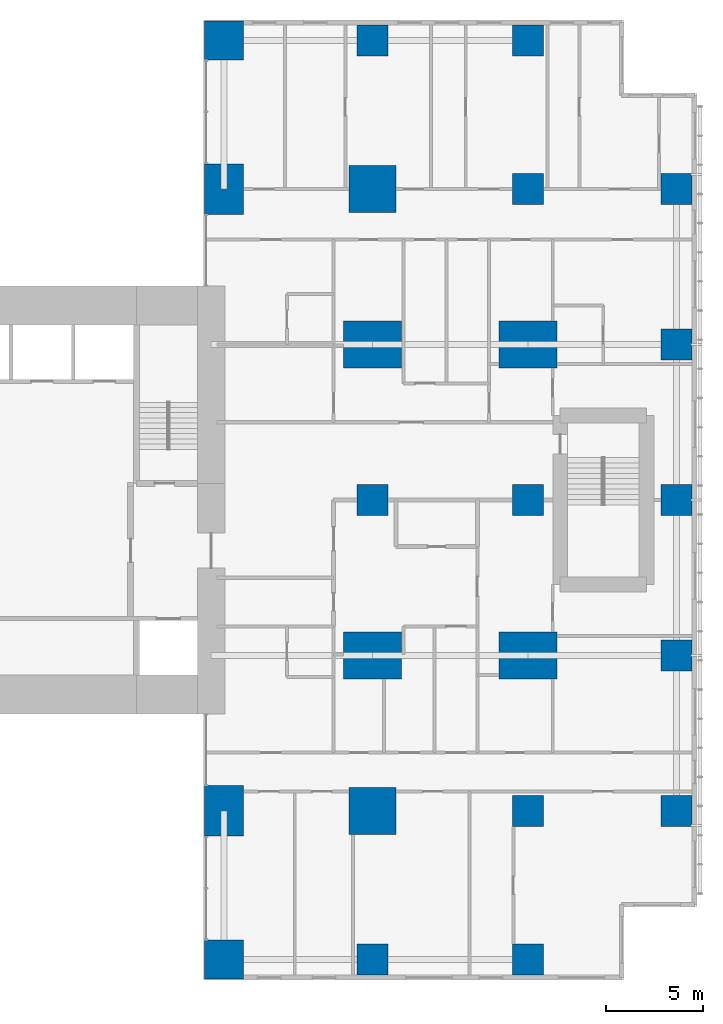
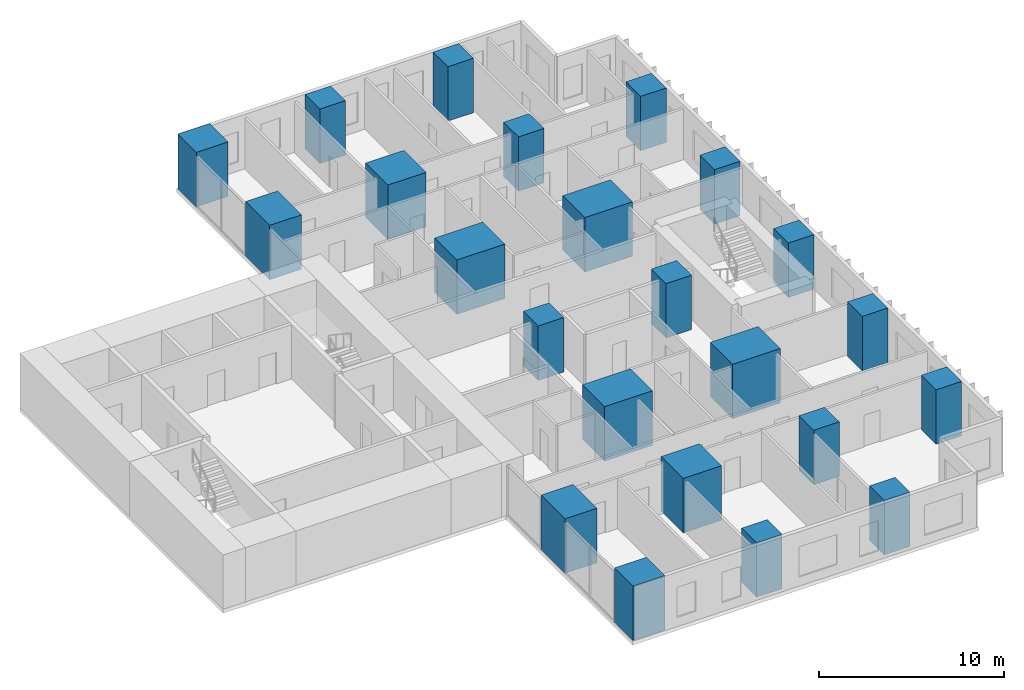
# One storey, part 1 of 12: 23 columns.
"""IFC4 building model written with IfcOpenShell, lengths in metres."""

from ifc_helpers import new_model, si_unit, direction, frame, origin, origin_2d, place, context, subcontext, project, spatial, rectangle, extrude, material, material_profile, profile_set, type_object, element, save


model = new_model("IFC4")

# Units and contexts
model_context = context("Model", 3, precision=1e-05, world=origin(), true_north=direction((0.0, 1.0)))
body_context = subcontext(model_context, "Body", "Model", "MODEL_VIEW")
ifc_project = project(units=[si_unit("LENGTHUNIT", "METRE"), si_unit("AREAUNIT", "SQUARE_METRE"), si_unit("VOLUMEUNIT", "CUBIC_METRE"), si_unit("PLANEANGLEUNIT", "RADIAN"), si_unit("MASSUNIT", "GRAM", prefix="KILO")], contexts=[model_context])

# Site, building, storey
site_placement = place(None, origin())
site = spatial("IfcSite", under=ifc_project, at=site_placement, CompositionType="ELEMENT")
building_placement = place(site_placement, origin())
building = spatial("IfcBuilding", under=site, at=building_placement, Name="Cleftline Residences", CompositionType="ELEMENT")
storey_placement = place(building_placement, frame((0.0, 0.0, 234.0)))
storey = spatial("IfcBuildingStorey", under=building, at=storey_placement, Name="L61", CompositionType="ELEMENT", Elevation=234.0)

# Columns
ifc_material_1 = material(Name="Concrete B70", Category="concrete")
ifc_material_profile_1 = material_profile(ifc_material_1, rectangle(XDim=1.60009765625, YDim=1.60009765625, at=origin_2d()))
ifc_profile_set_1 = profile_set([ifc_material_profile_1], Name="Concrete B70")
column_type_1 = type_object("IfcColumnType", Name="COLUMN RC1600X1600", PredefinedType="COLUMN", material=ifc_profile_set_1)
for number, where, z_axis, x_axis, name in (
    (1, (50.0, 0.35009765625, 0.0), (0.0, 0.0, 1.0), (1.0, 0.0, 0.0), "Column C/9"),
    (2, (50.0, 24.0, 0.0), (0.0, 0.0, 1.0), (1.0, 0.0, 0.0), "Column F/9"),
    (3, (50.0, 47.64990234375, 0.0), (0.0, 0.0, 1.0), (1.0, 0.0, 0.0), "Column J/9"),
    (4, (58.0, 0.35009765625, 0.0), (0.0, 0.0, 1.0), (1.0, 0.0, 0.0), "Column C/10"),
    (5, (58.0, 8.0, 0.0), (0.0, 0.0, 1.0), (1.0, 0.0, 0.0), "Column D/10"),
    (6, (58.0, 24.0, 0.0), (0.0, 0.0, 1.0), (1.0, 0.0, 0.0), "Column F/10"),
    (7, (58.0, 40.0, 0.0), (0.0, 0.0, 1.0), (1.0, 0.0, 0.0), "Column H/10"),
    (8, (58.0, 47.64990234375, 0.0), (0.0, 0.0, 1.0), (1.0, 0.0, 0.0), "Column J/10"),
    (9, (65.64990234375, 8.0, 0.0), (0.0, 0.0, 1.0), (1.0, 0.0, 0.0), "Column D/11"),
    (10, (65.64990234375, 16.0, 0.0), (0.0, 0.0, 1.0), (1.0, 0.0, 0.0), "Column E/11"),
    (11, (65.64990234375, 24.0, 0.0), (0.0, 0.0, 1.0), (1.0, 0.0, 0.0), "Column F/11"),
    (12, (65.64990234375, 32.0, 0.0), (0.0, 0.0, 1.0), (1.0, 0.0, 0.0), "Column G/11"),
    (13, (65.64990234375, 40.0, 0.0), (0.0, 0.0, 1.0), (1.0, 0.0, 0.0), "Column H/11"),
):
    element("IfcColumn", number, at=place(storey_placement, frame(where, z_axis=z_axis, x_axis=x_axis)), inside=storey, type_object=column_type_1, Name=name, PredefinedType="COLUMN", context=body_context, shape_type="SweptSolid", body=[
        extrude(rectangle(XDim=1.60009765625, YDim=1.60009765625, at=origin_2d()), origin(), (0.0, 0.0, 1.0), 3.60009765625),
    ])
ifc_material_2 = material(Name="Concrete B70", Category="concrete")
ifc_material_profile_2 = material_profile(ifc_material_2, rectangle(XDim=2.0, YDim=2.0, at=origin_2d()))
ifc_profile_set_2 = profile_set([ifc_material_profile_2], Name="Concrete B70")
column_type_2 = type_object("IfcColumnType", Name="COLUMN RC2000X2000", PredefinedType="COLUMN", material=ifc_profile_set_2)
for number, where, z_axis, x_axis, name in (
    (14, (42.35009765625, 0.35009765625, 0.0), (0.0, 0.0, 1.0), (1.0, 0.0, 0.0), "Column C/8"),
    (15, (42.35009765625, 47.64990234375, 0.0), (0.0, 0.0, 1.0), (1.0, 0.0, 0.0), "Column J/8"),
):
    element("IfcColumn", number, at=place(storey_placement, frame(where, z_axis=z_axis, x_axis=x_axis)), inside=storey, type_object=column_type_2, Name=name, PredefinedType="COLUMN", context=body_context, shape_type="SweptSolid", body=[
        extrude(rectangle(XDim=2.0, YDim=2.0, at=origin_2d()), origin(), (0.0, 0.0, 1.0), 3.60009765625),
    ])
ifc_material_3 = material(Name="Concrete B70", Category="concrete")
ifc_material_profile_3 = material_profile(ifc_material_3, rectangle(XDim=2.0, YDim=2.60009765625, at=origin_2d()))
ifc_profile_set_3 = profile_set([ifc_material_profile_3], Name="Concrete B70")
column_type_3 = type_object("IfcColumnType", Name="COLUMN RC2000X2600", PredefinedType="COLUMN", material=ifc_profile_set_3)
for number, where, z_axis, x_axis, name in (
    (16, (42.35009765625, 8.0, 0.0), (0.0, 0.0, 1.0), (1.0, 0.0, 0.0), "Column D/8"),
    (17, (42.35009765625, 40.0, 0.0), (0.0, 0.0, 1.0), (1.0, 0.0, 0.0), "Column H/8"),
):
    element("IfcColumn", number, at=place(storey_placement, frame(where, z_axis=z_axis, x_axis=x_axis)), inside=storey, type_object=column_type_3, Name=name, PredefinedType="COLUMN", context=body_context, shape_type="SweptSolid", body=[
        extrude(rectangle(XDim=2.0, YDim=2.60009765625, at=origin_2d()), origin(), (0.0, 0.0, 1.0), 3.60009765625),
    ])
ifc_material_4 = material(Name="Concrete B70", Category="concrete")
ifc_material_profile_4 = material_profile(ifc_material_4, rectangle(XDim=2.39990234375, YDim=2.39990234375, at=origin_2d()))
ifc_profile_set_4 = profile_set([ifc_material_profile_4], Name="Concrete B70")
column_type_4 = type_object("IfcColumnType", Name="COLUMN RC2400X2400", PredefinedType="COLUMN", material=ifc_profile_set_4)
for number, where, z_axis, x_axis, name in (
    (18, (50.0, 8.0, 0.0), (0.0, 0.0, 1.0), (1.0, 0.0, 0.0), "Column D/9"),
    (19, (50.0, 40.0, 0.0), (0.0, 0.0, 1.0), (1.0, 0.0, 0.0), "Column H/9"),
):
    element("IfcColumn", number, at=place(storey_placement, frame(where, z_axis=z_axis, x_axis=x_axis)), inside=storey, type_object=column_type_4, Name=name, PredefinedType="COLUMN", context=body_context, shape_type="SweptSolid", body=[
        extrude(rectangle(XDim=2.39990234375, YDim=2.39990234375, at=origin_2d()), origin(), (0.0, 0.0, 1.0), 3.60009765625),
    ])
ifc_material_5 = material(Name="Concrete B70", Category="concrete")
ifc_material_profile_5 = material_profile(ifc_material_5, rectangle(XDim=3.0, YDim=2.39990234375, at=origin_2d()))
ifc_profile_set_5 = profile_set([ifc_material_profile_5], Name="Concrete B70")
column_type_5 = type_object("IfcColumnType", Name="COLUMN RC3000X2400", PredefinedType="COLUMN", material=ifc_profile_set_5)
for number, where, z_axis, x_axis, name in (
    (20, (50.0, 16.0, 0.0), (0.0, 0.0, 1.0), (1.0, 0.0, 0.0), "Column E/9"),
    (21, (50.0, 32.0, 0.0), (0.0, 0.0, 1.0), (1.0, 0.0, 0.0), "Column G/9"),
    (22, (58.0, 16.0, 0.0), (0.0, 0.0, 1.0), (1.0, 0.0, 0.0), "Column E/10"),
    (23, (58.0, 32.0, 0.0), (0.0, 0.0, 1.0), (1.0, 0.0, 0.0), "Column G/10"),
):
    element("IfcColumn", number, at=place(storey_placement, frame(where, z_axis=z_axis, x_axis=x_axis)), inside=storey, type_object=column_type_5, Name=name, PredefinedType="COLUMN", context=body_context, shape_type="SweptSolid", body=[
        extrude(rectangle(XDim=3.0, YDim=2.39990234375, at=origin_2d()), origin(), (0.0, 0.0, 1.0), 3.60009765625),
    ])

save(model, "model.ifc")
